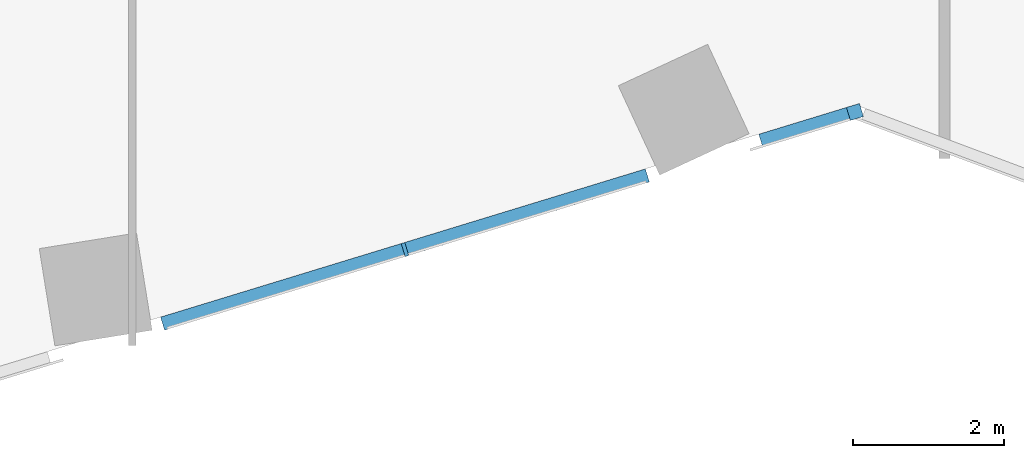
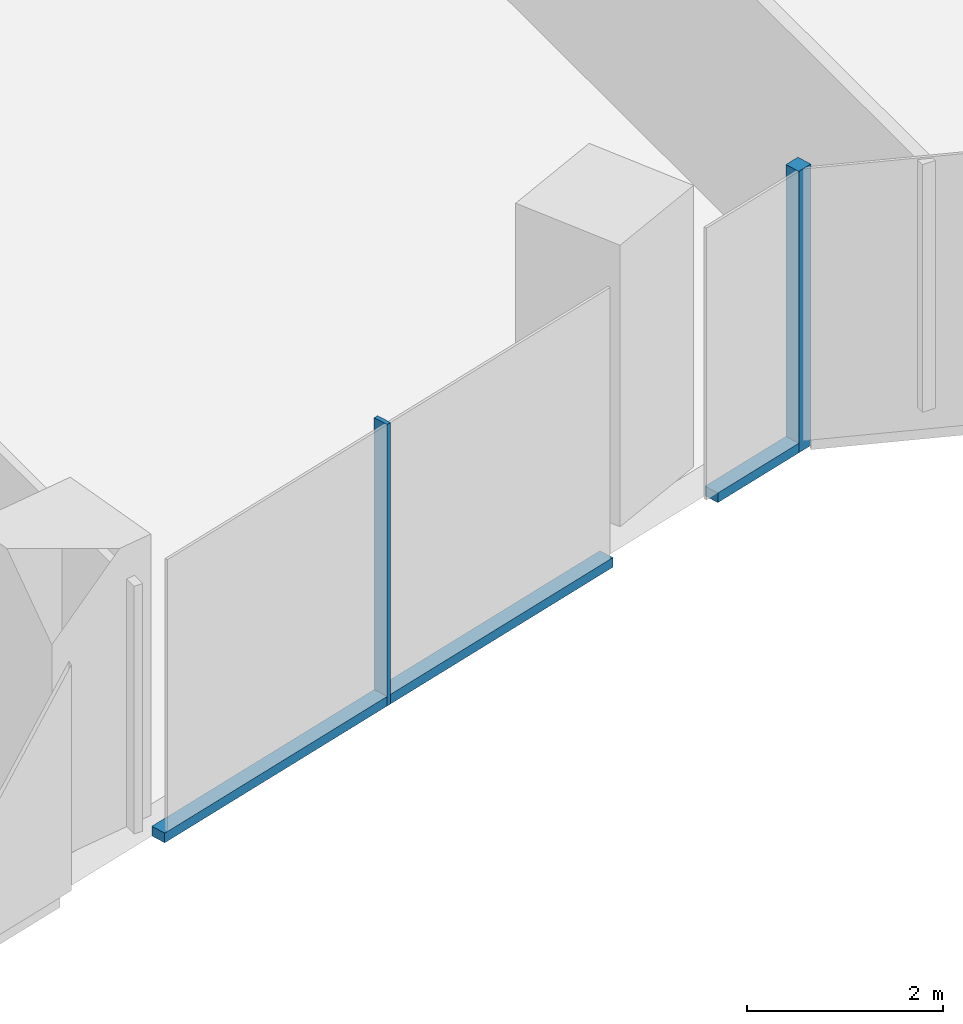
# One storey, part 6 of 31: 4 members, 1 element without a shape of its own.
"""IFC4 building model written with IfcOpenShell, lengths in metres."""

from ifc_helpers import new_model, si_unit, direction, frame, origin, origin_2d, place, context, subcontext, project, spatial, rectangle, extrude, material, material_profile, profile_set, type_object, element, aggregate, save


model = new_model("IFC4")

# Units and contexts
model_context = context("Model", 3, precision=1e-05, world=origin(), true_north=direction((0.0, 1.0)))
body_context = subcontext(model_context, "Body", "Model", "MODEL_VIEW")
ifc_project = project(units=[si_unit("LENGTHUNIT", "METRE"), si_unit("AREAUNIT", "SQUARE_METRE"), si_unit("VOLUMEUNIT", "CUBIC_METRE"), si_unit("PLANEANGLEUNIT", "RADIAN"), si_unit("MASSUNIT", "GRAM", prefix="KILO")], contexts=[model_context])

# Site, building, storey
site_placement = place(None, origin())
site = spatial("IfcSite", under=ifc_project, at=site_placement, CompositionType="ELEMENT")
building_placement = place(site_placement, origin())
building = spatial("IfcBuilding", under=site, at=building_placement, Name="Orlundy Tower", CompositionType="ELEMENT")
storey_placement = place(building_placement, frame((0.0, 0.0, 87.699951171875)))
storey = spatial("IfcBuildingStorey", under=building, at=storey_placement, Name="L21", CompositionType="ELEMENT", Elevation=87.699951171875)

# Curtain wall, members
ifc_material_1 = material(Name="Aluminium bronze anodised", Category="aluminium")
curtain_wall_type = type_object("IfcCurtainWallType", Name="CW1 wall", PredefinedType="NOTDEFINED", material=ifc_material_1)
curtain_wall_placement = place(storey_placement, origin())
curtain_wall = element("IfcCurtainWall", 1, at=curtain_wall_placement, inside=storey, type_object=curtain_wall_type, Name="CW1 run 017", PredefinedType="NOTDEFINED")
ifc_material_2 = material(Name="Aluminium bronze anodised", Category="aluminium")
ifc_material_profile_1 = material_profile(ifc_material_2, rectangle(XDim=0.179931640625, YDim=0.179931640625, at=origin_2d()), Name="CW1 corner post 180x180")
ifc_profile_set_1 = profile_set([ifc_material_profile_1], Name="Aluminium bronze anodised")
member_type_1 = type_object("IfcMemberType", Name="CW1 corner post 180x180", PredefinedType="MULLION", material=ifc_profile_set_1)
member_1_placement = place(storey_placement, frame((14.739013671875, -26.958984375, -0.39990234375), z_axis=(0.0, 0.0, 1.0), x_axis=(0.292318233228, -0.956321102205, 0.0)))
member_1 = element("IfcMember", 2, at=member_1_placement, type_object=member_type_1, Name="CW1 mullion 49", PredefinedType="MULLION", context=body_context, shape_type="SweptSolid", body=[
    extrude(rectangle(XDim=0.179931640625, YDim=0.179931640625, at=origin_2d()), origin(), (0.0, 0.0, 1.0), 3.5),
])
ifc_material_3 = material(Name="Aluminium bronze anodised", Category="aluminium")
ifc_material_profile_2 = material_profile(ifc_material_3, rectangle(XDim=0.179931640625, YDim=0.050048828125, at=origin_2d()), Name="CW1 mullion 50x180")
ifc_profile_set_2 = profile_set([ifc_material_profile_2], Name="Aluminium bronze anodised")
member_type_2 = type_object("IfcMemberType", Name="CW1 mullion 50x180", PredefinedType="MULLION", material=ifc_profile_set_2)
member_2_placement = place(storey_placement, frame((8.7978515625, -28.775146484375, -0.39990234375), z_axis=(0.0, 0.0, 1.0), x_axis=(0.292318233228, -0.956321102205, 0.0)))
member_2 = element("IfcMember", 3, at=member_2_placement, type_object=member_type_2, Name="CW1 mullion 50", PredefinedType="MULLION", context=body_context, shape_type="SweptSolid", body=[
    extrude(rectangle(XDim=0.179931640625, YDim=0.050048828125, at=origin_2d()), origin(), (0.0, 0.0, 1.0), 3.5),
])
ifc_material_4 = material(Name="Aluminium bronze anodised", Category="aluminium")
ifc_material_profile_3 = material_profile(ifc_material_4, rectangle(XDim=0.179931640625, YDim=0.1201171875, at=origin_2d()), Name="CW1 transom 180x120")
ifc_profile_set_3 = profile_set([ifc_material_profile_3], Name="Aluminium bronze anodised")
member_type_3 = type_object("IfcMemberType", Name="CW1 transom 180x120", PredefinedType="USERDEFINED", material=ifc_profile_set_3)
member_3_placement = place(storey_placement, frame((14.653076171875, -26.9853515625, -0.33984375), z_axis=(-0.956335900786, -0.292269815183, 0.0), x_axis=(0.292269815183, -0.956335900786, 0.0)))
member_3 = element("IfcMember", 4, at=member_3_placement, type_object=member_type_3, Name="CW1 transom", ObjectType="TRANSOM", PredefinedType="USERDEFINED", context=body_context, shape_type="SweptSolid", body=[
    extrude(rectangle(XDim=0.179931640625, YDim=0.1201171875, at=origin_2d()), origin(), (0.0, 0.0, 1.0), 1.20947265625),
])
member_4_placement = place(storey_placement, frame((11.998291015625, -27.796875, -0.33984375), z_axis=(-0.95632778436, -0.292296371619, 0.0), x_axis=(0.292296371619, -0.95632778436, 0.0)))
member_4 = element("IfcMember", 5, at=member_4_placement, type_object=member_type_3, Name="CW1 transom", ObjectType="TRANSOM", PredefinedType="USERDEFINED", context=body_context, shape_type="SweptSolid", body=[
    extrude(rectangle(XDim=0.179931640625, YDim=0.1201171875, at=origin_2d()), origin(), (0.0, 0.0, 1.0), 6.693603515625),
])
aggregate(curtain_wall, [member_1, member_2, member_3, member_4])

save(model, "model.ifc")
